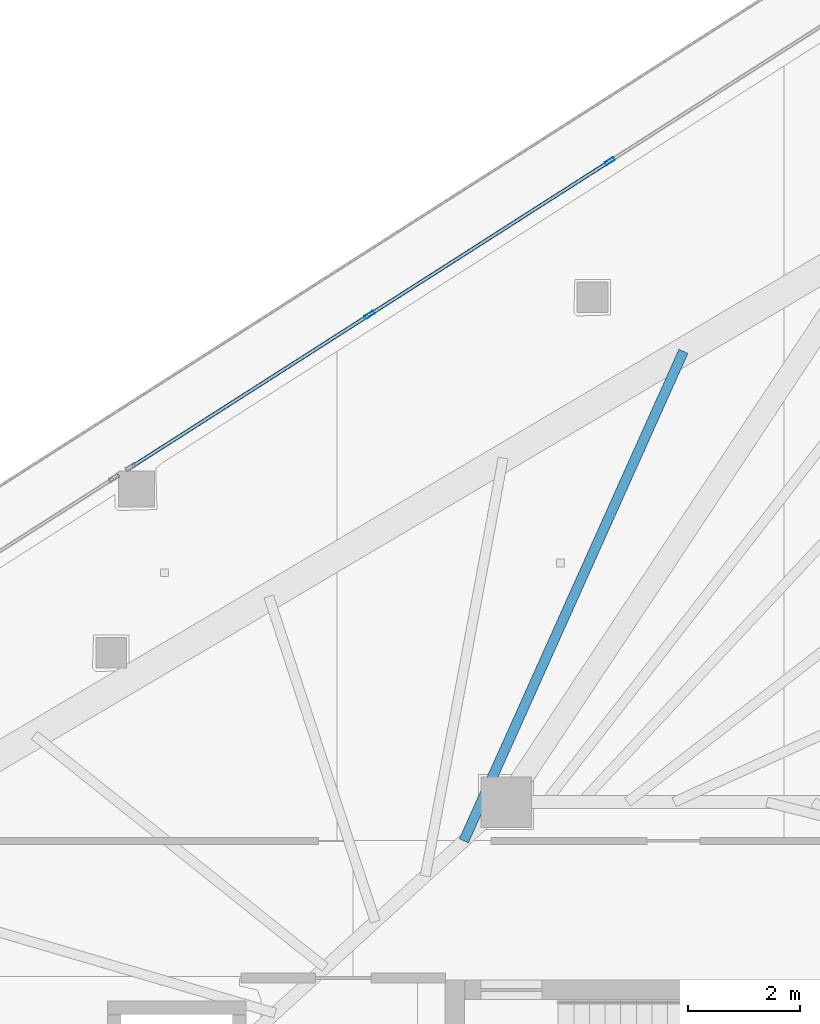
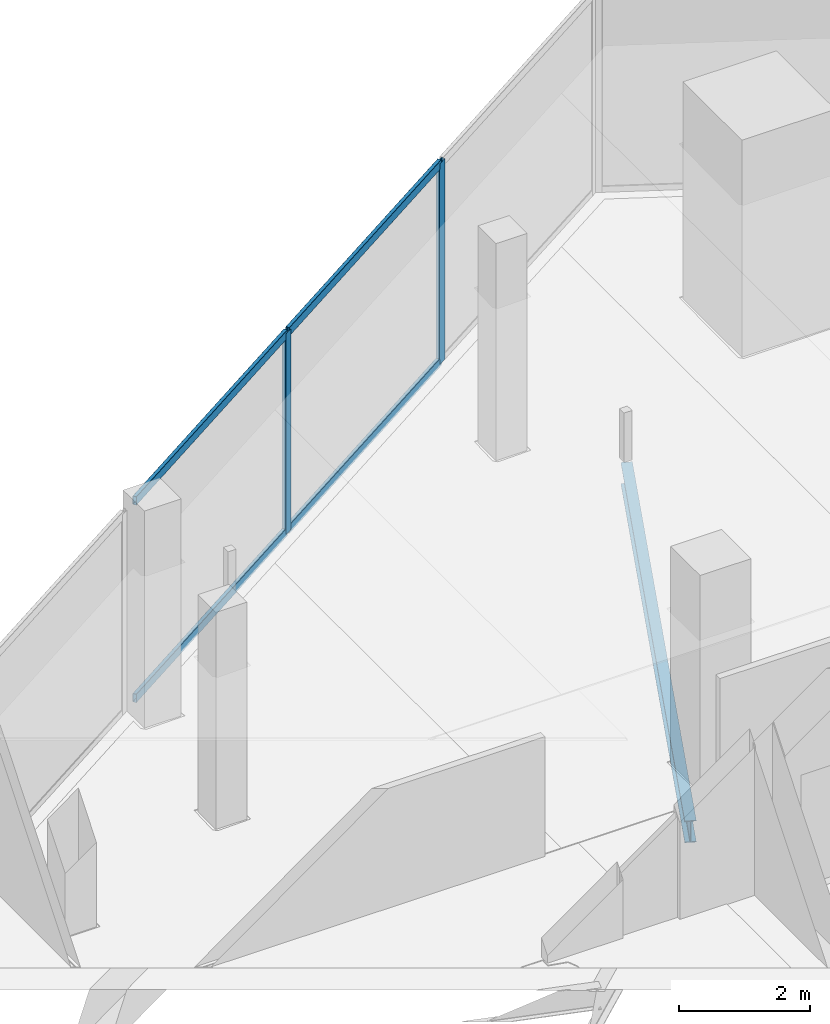
# One storey, part 19 of 34: 6 members, 1 beam, 1 element without a shape of its own.
"""IFC4 building model written with IfcOpenShell, lengths in metres."""

from ifc_helpers import new_model, si_unit, direction, frame, origin, origin_2d, place, context, subcontext, project, spatial, hollow_rectangle, i_section, extrude, material, layer, layer_set, material_profile, profile_set, type_object, element, aggregate, save


model = new_model("IFC4")

# Units and contexts
model_context = context("Model", 3, precision=1e-05, world=origin(), true_north=direction((0.0, 1.0)))
body_context = subcontext(model_context, "Body", "Model", "MODEL_VIEW")
ifc_project = project(units=[si_unit("LENGTHUNIT", "METRE"), si_unit("AREAUNIT", "SQUARE_METRE"), si_unit("VOLUMEUNIT", "CUBIC_METRE"), si_unit("PLANEANGLEUNIT", "RADIAN"), si_unit("MASSUNIT", "GRAM", prefix="KILO")], contexts=[model_context])

# Site, building, storey
site_placement = place(None, origin())
site = spatial("IfcSite", under=ifc_project, at=site_placement, CompositionType="ELEMENT")
building_placement = place(site_placement, origin())
building = spatial("IfcBuilding", under=site, at=building_placement, Name="Qorvath Tower", CompositionType="ELEMENT")
storey_placement = place(building_placement, frame((0.0, 0.0, 245.550048828125)))
storey = spatial("IfcBuildingStorey", under=building, at=storey_placement, Name="L57", CompositionType="ELEMENT", Elevation=245.550048828125)

# Beam
ifc_material_1 = material(Name="Steel ASTM A992 Grade 50", Category="steel")
ifc_material_profile_1 = material_profile(ifc_material_1, i_section(OverallWidth=0.177978515625, OverallDepth=0.406005859375, WebThickness=0.0078125, FlangeThickness=0.0126953125, FilletRadius=0.010986328125, at=origin_2d()), Name="W16x40")
ifc_profile_set_1 = profile_set([ifc_material_profile_1], Name="Steel ASTM A992 Grade 50")
beam_type = type_object("IfcBeamType", Name="BM-FJ3", PredefinedType="JOIST", material=ifc_profile_set_1)
beam_placement = place(storey_placement, frame((-24.35888671875, 10.757080078125, -0.47314453125), z_axis=(0.409327209141, 0.912387656568, 0.0), x_axis=(-0.912387656568, 0.409327209141, 0.0)))
element("IfcBeam", 1, at=beam_placement, inside=storey, type_object=beam_type, Name="Composite Floor Joist NW7 L57", PredefinedType="JOIST", context=body_context, shape_type="SweptSolid", body=[
    extrude(i_section(OverallWidth=0.177978515625, OverallDepth=0.406005859375, WebThickness=0.0078125, FlangeThickness=0.0126953125, FilletRadius=0.010986328125, at=origin_2d()), origin(), (0.0, 0.0, 1.0), 9.611083984375),
])

# Curtain wall, members
ifc_material_2 = material(Name="Anodised aluminium and triple low-E glass", Category="aluminium")
ifc_layer = layer(ifc_material_2, 0.179931640625)
ifc_layer_set = layer_set([ifc_layer], Name="CW-SYS-3")
curtain_wall_type = type_object("IfcCurtainWallType", Name="CW-SYS-3", PredefinedType="NOTDEFINED", material=ifc_layer_set)
curtain_wall_placement = place(storey_placement, origin())
curtain_wall = element("IfcCurtainWall", 2, at=curtain_wall_placement, inside=storey, type_object=curtain_wall_type, Name="Curtain Wall CW-3 CW-T-L57-16.1", PredefinedType="NOTDEFINED")
ifc_material_3 = material(Name="Anodised aluminium 6063-T6", Category="aluminium")
ifc_material_profile_2 = material_profile(ifc_material_3, hollow_rectangle(XDim=0.06494140625, YDim=0.179931640625, WallThickness=0.00341796875, InnerFilletRadius=0.00341796875, OuterFilletRadius=0.007080078125, at=origin_2d()), Name="CWM 180x65")
ifc_profile_set_2 = profile_set([ifc_material_profile_2], Name="Anodised aluminium 6063-T6")
member_type_1 = type_object("IfcMemberType", Name="CWM-180", PredefinedType="MULLION", material=ifc_profile_set_2)
member_1_placement = place(storey_placement, frame((-21.74365234375, 22.932373046875, 0.0), z_axis=(0.0, 0.0, 1.0), x_axis=(0.538527235977, -0.842608103516, 0.0)))
member_1 = element("IfcMember", 3, at=member_1_placement, type_object=member_type_1, Name="CW-3 mullion 2", PredefinedType="MULLION", context=body_context, shape_type="SweptSolid", body=[
    extrude(hollow_rectangle(XDim=0.06494140625, YDim=0.179931640625, WallThickness=0.00341796875, InnerFilletRadius=0.00341796875, OuterFilletRadius=0.007080078125, at=origin_2d()), origin(), (0.0, 0.0, 1.0), 3.75),
])
member_2_placement = place(storey_placement, frame((-26.048583984375, 20.18115234375, 0.0), z_axis=(0.0, 0.0, 1.0), x_axis=(0.538527235977, -0.842608103516, 0.0)))
member_2 = element("IfcMember", 4, at=member_2_placement, type_object=member_type_1, Name="CW-3 mullion 3", PredefinedType="MULLION", context=body_context, shape_type="SweptSolid", body=[
    extrude(hollow_rectangle(XDim=0.06494140625, YDim=0.179931640625, WallThickness=0.00341796875, InnerFilletRadius=0.00341796875, OuterFilletRadius=0.007080078125, at=origin_2d()), origin(), (0.0, 0.0, 1.0), 3.75),
])
ifc_material_4 = material(Name="Anodised aluminium 6063-T6", Category="aluminium")
ifc_material_profile_3 = material_profile(ifc_material_4, hollow_rectangle(XDim=0.06494140625, YDim=0.159912109375, WallThickness=0.00341796875, InnerFilletRadius=0.00341796875, OuterFilletRadius=0.007080078125, at=origin_2d()), Name="CWT 160x65")
ifc_profile_set_3 = profile_set([ifc_material_profile_3], Name="Anodised aluminium 6063-T6")
member_type_2 = type_object("IfcMemberType", Name="CWT-160", PredefinedType="USERDEFINED", material=ifc_profile_set_3)
member_3_placement = place(storey_placement, frame((-21.77099609375, 22.9150390625, 0.032470703125), z_axis=(-0.842595599608, -0.53854679975, 0.0), x_axis=(0.53854679975, -0.842595599608, 0.0)))
member_3 = element("IfcMember", 5, at=member_3_placement, type_object=member_type_2, Name="CW-3 transom 2.1", ObjectType="TRANSOM", PredefinedType="USERDEFINED", context=body_context, shape_type="SweptSolid", body=[
    extrude(hollow_rectangle(XDim=0.06494140625, YDim=0.159912109375, WallThickness=0.00341796875, InnerFilletRadius=0.00341796875, OuterFilletRadius=0.007080078125, at=origin_2d()), origin(), (0.0, 0.0, 1.0), 5.044189453125),
])
member_4_placement = place(storey_placement, frame((-21.77099609375, 22.9150390625, 3.717529296875), z_axis=(-0.842595599608, -0.53854679975, 0.0), x_axis=(0.53854679975, -0.842595599608, 0.0)))
member_4 = element("IfcMember", 6, at=member_4_placement, type_object=member_type_2, Name="CW-3 transom 2.2", ObjectType="TRANSOM", PredefinedType="USERDEFINED", context=body_context, shape_type="SweptSolid", body=[
    extrude(hollow_rectangle(XDim=0.06494140625, YDim=0.159912109375, WallThickness=0.00341796875, InnerFilletRadius=0.00341796875, OuterFilletRadius=0.007080078125, at=origin_2d()), origin(), (0.0, 0.0, 1.0), 5.044189453125),
])
member_5_placement = place(storey_placement, frame((-26.075927734375, 20.16357421875, 0.032470703125), z_axis=(-0.842604772239, -0.538532448234, 0.0), x_axis=(0.538532448234, -0.842604772239, 0.0)))
member_5 = element("IfcMember", 7, at=member_5_placement, type_object=member_type_2, Name="CW-3 transom 3.1", ObjectType="TRANSOM", PredefinedType="USERDEFINED", context=body_context, shape_type="SweptSolid", body=[
    extrude(hollow_rectangle(XDim=0.06494140625, YDim=0.159912109375, WallThickness=0.00341796875, InnerFilletRadius=0.00341796875, OuterFilletRadius=0.007080078125, at=origin_2d()), origin(), (0.0, 0.0, 1.0), 5.01171875),
])
member_6_placement = place(storey_placement, frame((-26.075927734375, 20.16357421875, 3.717529296875), z_axis=(-0.842604772239, -0.538532448234, 0.0), x_axis=(0.538532448234, -0.842604772239, 0.0)))
member_6 = element("IfcMember", 8, at=member_6_placement, type_object=member_type_2, Name="CW-3 transom 3.2", ObjectType="TRANSOM", PredefinedType="USERDEFINED", context=body_context, shape_type="SweptSolid", body=[
    extrude(hollow_rectangle(XDim=0.06494140625, YDim=0.159912109375, WallThickness=0.00341796875, InnerFilletRadius=0.00341796875, OuterFilletRadius=0.007080078125, at=origin_2d()), origin(), (0.0, 0.0, 1.0), 5.01171875),
])
aggregate(curtain_wall, [member_1, member_2, member_3, member_4, member_5, member_6])

save(model, "model.ifc")
